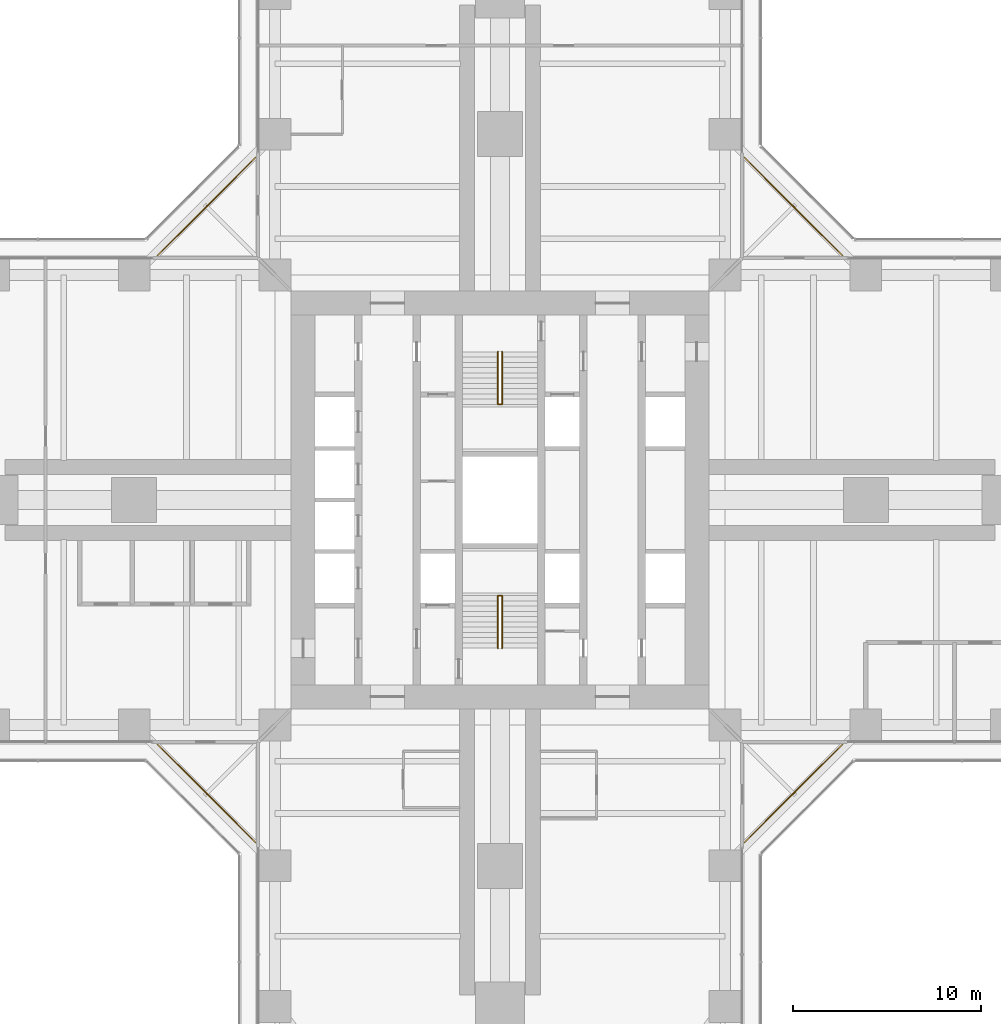
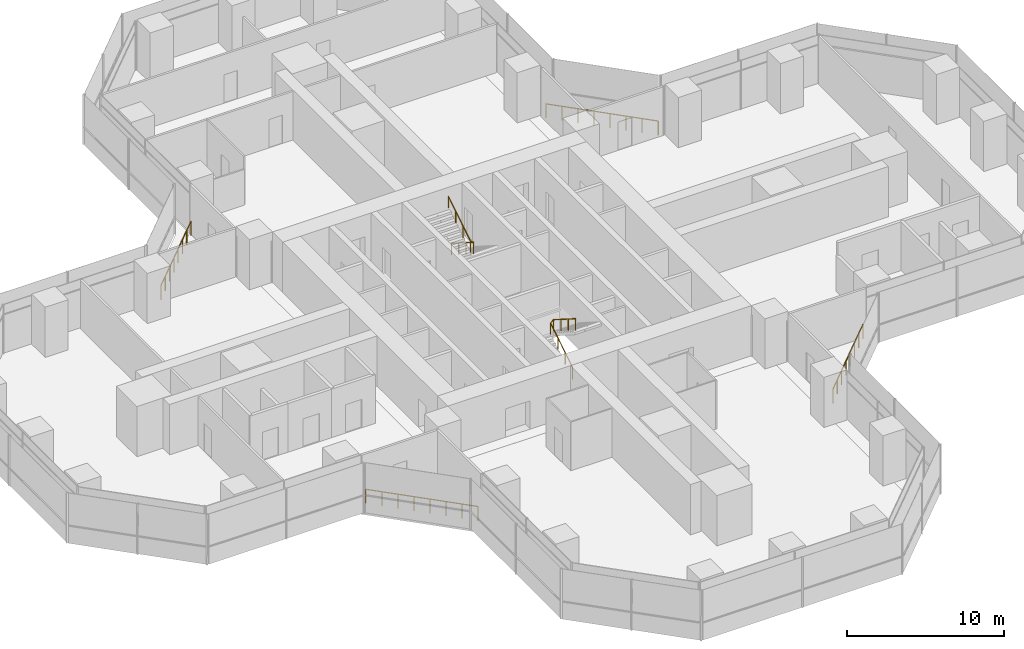
# One storey, part 22 of 22: 6 railings.
"""IFC4 building model written with IfcOpenShell, lengths in metres."""

import ifcopenshell
import ifcopenshell.guid

model = None  # the IFC model being written
_history = None  # IfcOwnerHistory: only IFC2X3 demands one
_inside = {}  # id of a spatial element -> (the spatial element, [elements in it])
_under = {}  # id of a project, library or spatial element -> (it, [spatial elements below it])
_declared = {}  # id of a project -> (the project, [libraries it declares])
_typed = {}  # id of a type object -> (the type object, [elements of that type])
_made_of = {}  # id of a material, layer set ... -> (it, [elements and type objects made of it])


def new_model(schema):
    """Start an empty IFC model of exactly this schema.

    Asked for "IFC4X3", IfcOpenShell would pick the latest addendum, in which some entities
    have other attributes; the version numbers below select the first issue.
    IFC2X3 requires an IfcOwnerHistory on every rooted entity: one is made here for all.
    """
    global model, _history
    if schema == "IFC4X3":
        model = ifcopenshell.file(schema_version=(4, 3, 0, 0))
    else:
        model = ifcopenshell.file(schema=schema)
    _inside.clear()
    _under.clear()
    _declared.clear()
    _typed.clear()
    _made_of.clear()
    _history = None
    if model.schema == "IFC2X3":
        org = make("IfcOrganization", Name="unknown")
        user = make(
            "IfcPersonAndOrganization",
            ThePerson=make("IfcPerson", FamilyName="unknown"),
            TheOrganization=org,
        )
        app = make(
            "IfcApplication",
            ApplicationDeveloper=org,
            Version="unknown",
            ApplicationFullName="unknown",
            ApplicationIdentifier="unknown",
        )
        _history = make(
            "IfcOwnerHistory",
            OwningUser=user,
            OwningApplication=app,
            ChangeAction="ADDED",
            CreationDate=0,
        )
    return model


def make(cls, **values):
    """One entity of the class cls with the attributes given. An attribute that is None is left unset."""
    return model.create_entity(
        cls, **{name: value for name, value in values.items() if value is not None}
    )


def rooted(cls, **values):
    """An entity with a GlobalId (a new one), such as an element, a storey or a relation."""
    return make(cls, GlobalId=ifcopenshell.guid.new(), OwnerHistory=_history, **values)


def si_unit(unit_type, name, prefix=None):
    """IfcSIUnit, for example si_unit("LENGTHUNIT", "METRE", prefix="MILLI")."""
    return make("IfcSIUnit", UnitType=unit_type, Prefix=prefix, Name=name)


def assignment(units):
    """IfcUnitAssignment: the units of a project."""
    return None if units is None else make("IfcUnitAssignment", Units=units)


def point(xyz):
    """IfcCartesianPoint."""
    return None if xyz is None else make("IfcCartesianPoint", Coordinates=xyz)


def direction(xyz):
    """IfcDirection."""
    return None if xyz is None else make("IfcDirection", DirectionRatios=xyz)


def frame(location, z_axis=None, x_axis=None):
    """IfcAxis2Placement3D, a coordinate frame: its origin and axes. An axis left out is left unset."""
    return make(
        "IfcAxis2Placement3D",
        Location=point(location),
        Axis=direction(z_axis),
        RefDirection=direction(x_axis),
    )


def frame_2d(location, x_axis=None):
    """IfcAxis2Placement2D, a coordinate frame in the plane: its origin and x axis."""
    return make(
        "IfcAxis2Placement2D", Location=point(location), RefDirection=direction(x_axis)
    )


def origin():
    """The frame at (0, 0, 0) with its axes left unset."""
    return frame((0.0, 0.0, 0.0))


def origin_2d():
    """The frame at (0, 0) in the plane with its x axis left unset."""
    return frame_2d((0.0, 0.0))


def place(relative_to, where):
    """IfcLocalPlacement: puts the frame where relative to a parent placement (None: the world)."""
    return make(
        "IfcLocalPlacement", PlacementRelTo=relative_to, RelativePlacement=where
    )


def context(
    kind, dimensions, precision=None, world=None, true_north=None, identifier=None
):
    """IfcGeometricRepresentationContext, for example the 3D "Model" context."""
    return make(
        "IfcGeometricRepresentationContext",
        ContextIdentifier=identifier,
        ContextType=kind,
        CoordinateSpaceDimension=dimensions,
        Precision=precision,
        WorldCoordinateSystem=world,
        TrueNorth=true_north,
    )


def subcontext(parent, identifier, kind, view, scale=None):
    """IfcGeometricRepresentationSubContext, for example "Body" below "Model"."""
    return make(
        "IfcGeometricRepresentationSubContext",
        ContextIdentifier=identifier,
        ContextType=kind,
        ParentContext=parent,
        TargetScale=scale,
        TargetView=view,
    )


def project(units=None, contexts=None):
    """IfcProject with its units and contexts."""
    return rooted(
        "IfcProject",
        Name="project",
        RepresentationContexts=contexts,
        UnitsInContext=assignment(units),
    )


def spatial(cls, under=None, at=None, **own):
    """A site, building, storey or space (cls), placed at a placement, below another one or the project."""
    s = rooted(cls, ObjectPlacement=at, **own)
    if under is not None:
        _under.setdefault(under.id(), (under, []))[1].append(s)
    return s


def profile(cls, at=None, kind="AREA", **sizes):
    """A parametric profile (cls). Its sizes go by their IFC names, for example OverallWidth=200.0."""
    return make(cls, ProfileType=kind, Position=at, **sizes)


def circle(**sizes):
    """IfcCircleProfileDef."""
    return profile("IfcCircleProfileDef", **sizes)


def extrude(swept, where, along, depth):
    """IfcExtrudedAreaSolid: the profile swept, set in the frame where, extruded along a direction by depth."""
    return make(
        "IfcExtrudedAreaSolid",
        SweptArea=swept,
        Position=where,
        ExtrudedDirection=direction(along),
        Depth=depth,
    )


def shape(context_of_items, identifier, shape_type, items):
    """IfcShapeRepresentation: the items that make up one representation, for example the "Body"."""
    return make(
        "IfcShapeRepresentation",
        ContextOfItems=context_of_items,
        RepresentationIdentifier=identifier,
        RepresentationType=shape_type,
        Items=items,
    )


def material(Name=None, Category=None):
    """IfcMaterial."""
    return make("IfcMaterial", Name=Name, Category=Category)


def made_of(thing, what):
    """Note that an element or type object is made of a material, layer set ...; save() writes the relation."""
    if what is not None:
        _made_of.setdefault(what.id(), (what, []))[1].append(thing)
    return thing


def type_object(cls, material=None, **own):
    """A type object (cls), such as IfcWallType, which elements share."""
    return made_of(rooted(cls, **own), material)


def element(
    cls,
    number,
    at=None,
    inside=None,
    cuts=None,
    type_object=None,
    material=None,
    context=None,
    identifier="Body",
    shape_type=None,
    held_by="IfcProductDefinitionShape",
    body=None,
    shapes=None,
    **own,
):
    """One element of the class cls, such as IfcWall. Its Tag is "e" and its number.

    at: its placement. inside: the storey or other place that contains it. cuts: it is an
    opening in that element (IfcRelVoidsElement). A single representation is given by context,
    identifier, shape_type and body (its items); several are given by shapes. held_by: the class
    of the entity that holds the representations. save() writes the other relations.
    """
    e = rooted(cls, Tag="e%d" % number, ObjectPlacement=at, **own)
    if body is not None:
        shapes = [shape(context, identifier, shape_type, body)]
    if shapes is not None:
        e.Representation = make(held_by, Representations=shapes)
    if inside is not None:
        _inside.setdefault(inside.id(), (inside, []))[1].append(e)
    if cuts is not None:
        rooted(
            "IfcRelVoidsElement", RelatingBuildingElement=cuts, RelatedOpeningElement=e
        )
    if type_object is not None:
        _typed.setdefault(type_object.id(), (type_object, []))[1].append(e)
    return made_of(e, material)


def aggregate(whole, parts):
    """IfcRelAggregates: a whole, such as a stair, and the parts it consists of."""
    return rooted("IfcRelAggregates", RelatingObject=whole, RelatedObjects=parts)


def save(model, path):
    """Write the relations noted so far, then the file.

    IfcRelAggregates (storeys below a building ...), IfcRelContainedInSpatialStructure (elements
    in a storey), IfcRelDefinesByType, IfcRelAssociatesMaterial and IfcRelDeclares: one each for
    every whole, place, type object, material and project.
    """
    for whole, parts in _under.values():
        aggregate(whole, parts)
    for where, things in _inside.values():
        rooted(
            "IfcRelContainedInSpatialStructure",
            RelatedElements=things,
            RelatingStructure=where,
        )
    for kind, things in _typed.values():
        rooted("IfcRelDefinesByType", RelatedObjects=things, RelatingType=kind)
    for what, things in _made_of.values():
        rooted("IfcRelAssociatesMaterial", RelatedObjects=things, RelatingMaterial=what)
    for by, libraries in _declared.values():
        rooted("IfcRelDeclares", RelatingContext=by, RelatedDefinitions=libraries)
    model.write(path)


model = new_model("IFC4")

# Units and contexts
model_context = context("Model", 3, precision=1e-05, world=origin(), true_north=direction((0.0, 1.0)))
body_context = subcontext(model_context, "Body", "Model", "MODEL_VIEW")
ifc_project = project(units=[si_unit("LENGTHUNIT", "METRE"), si_unit("AREAUNIT", "SQUARE_METRE"), si_unit("VOLUMEUNIT", "CUBIC_METRE"), si_unit("PLANEANGLEUNIT", "RADIAN"), si_unit("MASSUNIT", "GRAM", prefix="KILO")], contexts=[model_context])

# Site, building, storey
site_placement = place(None, origin())
site = spatial("IfcSite", under=ifc_project, at=site_placement, CompositionType="ELEMENT")
building_placement = place(site_placement, origin())
building = spatial("IfcBuilding", under=site, at=building_placement, Name="Mizan Broadcast Tower", CompositionType="ELEMENT")
storey_placement = place(building_placement, frame((0.0, 0.0, 43.5)))
storey = spatial("IfcBuildingStorey", under=building, at=storey_placement, Name="L07", CompositionType="ELEMENT", Elevation=43.5)

# Railings
ifc_material_1 = material(Name="Stainless steel and glass guard", Category="steel")
railing_type_1 = type_object("IfcRailingType", Name="GUARD 1100", PredefinedType="GUARDRAIL", material=ifc_material_1)
railing_1_placement = place(storey_placement, frame((18.2578125, 13.030029296875, 0.0)))
element("IfcRailing", 1, at=railing_1_placement, inside=storey, type_object=railing_type_1, Name="Winter garden guard L07 E", PredefinedType="GUARDRAIL", context=body_context, shape_type="SweptSolid", body=[
    extrude(circle(Radius=0.02392578125, at=origin_2d()), frame((0.0, 0.0, 1.076171875), z_axis=(-0.707106781187, 0.707106781187, 0.0), x_axis=(-0.707106781187, -0.707106781187, 0.0)), (0.0, 0.0, 1.0), 7.393310546875),
    extrude(circle(Radius=0.02099609375, at=origin_2d()), origin(), (0.0, 0.0, 1.0), 1.052001953125),
    extrude(circle(Radius=0.02099609375, at=origin_2d()), frame((-0.746826171875, 0.746826171875, 0.0)), (0.0, 0.0, 1.0), 1.052001953125),
    extrude(circle(Radius=0.02099609375, at=origin_2d()), frame((-1.49365234375, 1.49365234375, 0.0)), (0.0, 0.0, 1.0), 1.052001953125),
    extrude(circle(Radius=0.02099609375, at=origin_2d()), frame((-2.240478515625, 2.240478515625, 0.0)), (0.0, 0.0, 1.0), 1.052001953125),
    extrude(circle(Radius=0.02099609375, at=origin_2d()), frame((-2.9873046875, 2.9873046875, 0.0)), (0.0, 0.0, 1.0), 1.052001953125),
    extrude(circle(Radius=0.02099609375, at=origin_2d()), frame((-3.734130859375, 3.734130859375, 0.0)), (0.0, 0.0, 1.0), 1.052001953125),
    extrude(circle(Radius=0.02099609375, at=origin_2d()), frame((-4.48095703125, 4.48095703125, 0.0)), (0.0, 0.0, 1.0), 1.052001953125),
    extrude(circle(Radius=0.02099609375, at=origin_2d()), frame((-5.227783203125, 5.227783203125, 0.0)), (0.0, 0.0, 1.0), 1.052001953125),
])
railing_2_placement = place(storey_placement, frame((-13.030029296875, 18.2578125, 0.0)))
element("IfcRailing", 2, at=railing_2_placement, inside=storey, type_object=railing_type_1, Name="Winter garden guard L07 N", PredefinedType="GUARDRAIL", context=body_context, shape_type="SweptSolid", body=[
    extrude(circle(Radius=0.02392578125, at=origin_2d()), frame((0.0, 0.0, 1.076171875), z_axis=(-0.707106781187, -0.707106781187, 0.0), x_axis=(0.707106781187, -0.707106781187, 0.0)), (0.0, 0.0, 1.0), 7.393310546875),
    extrude(circle(Radius=0.02099609375, at=origin_2d()), origin(), (0.0, 0.0, 1.0), 1.052001953125),
    extrude(circle(Radius=0.02099609375, at=origin_2d()), frame((-0.746826171875, -0.746826171875, 0.0)), (0.0, 0.0, 1.0), 1.052001953125),
    extrude(circle(Radius=0.02099609375, at=origin_2d()), frame((-1.49365234375, -1.49365234375, 0.0)), (0.0, 0.0, 1.0), 1.052001953125),
    extrude(circle(Radius=0.02099609375, at=origin_2d()), frame((-2.240478515625, -2.240478515625, 0.0)), (0.0, 0.0, 1.0), 1.052001953125),
    extrude(circle(Radius=0.02099609375, at=origin_2d()), frame((-2.9873046875, -2.9873046875, 0.0)), (0.0, 0.0, 1.0), 1.052001953125),
    extrude(circle(Radius=0.02099609375, at=origin_2d()), frame((-3.734130859375, -3.734130859375, 0.0)), (0.0, 0.0, 1.0), 1.052001953125),
    extrude(circle(Radius=0.02099609375, at=origin_2d()), frame((-4.48095703125, -4.48095703125, 0.0)), (0.0, 0.0, 1.0), 1.052001953125),
    extrude(circle(Radius=0.02099609375, at=origin_2d()), frame((-5.227783203125, -5.227783203125, 0.0)), (0.0, 0.0, 1.0), 1.052001953125),
])
railing_3_placement = place(storey_placement, frame((-18.2578125, -13.030029296875, 0.0)))
element("IfcRailing", 3, at=railing_3_placement, inside=storey, type_object=railing_type_1, Name="Winter garden guard L07 W", PredefinedType="GUARDRAIL", context=body_context, shape_type="SweptSolid", body=[
    extrude(circle(Radius=0.02392578125, at=origin_2d()), frame((0.0, 0.0, 1.076171875), z_axis=(0.707106781187, -0.707106781187, 0.0), x_axis=(0.707106781187, 0.707106781187, 0.0)), (0.0, 0.0, 1.0), 7.393310546875),
    extrude(circle(Radius=0.02099609375, at=origin_2d()), origin(), (0.0, 0.0, 1.0), 1.052001953125),
    extrude(circle(Radius=0.02099609375, at=origin_2d()), frame((0.746826171875, -0.746826171875, 0.0)), (0.0, 0.0, 1.0), 1.052001953125),
    extrude(circle(Radius=0.02099609375, at=origin_2d()), frame((1.49365234375, -1.49365234375, 0.0)), (0.0, 0.0, 1.0), 1.052001953125),
    extrude(circle(Radius=0.02099609375, at=origin_2d()), frame((2.240478515625, -2.240478515625, 0.0)), (0.0, 0.0, 1.0), 1.052001953125),
    extrude(circle(Radius=0.02099609375, at=origin_2d()), frame((2.9873046875, -2.9873046875, 0.0)), (0.0, 0.0, 1.0), 1.052001953125),
    extrude(circle(Radius=0.02099609375, at=origin_2d()), frame((3.734130859375, -3.734130859375, 0.0)), (0.0, 0.0, 1.0), 1.052001953125),
    extrude(circle(Radius=0.02099609375, at=origin_2d()), frame((4.48095703125, -4.48095703125, 0.0)), (0.0, 0.0, 1.0), 1.052001953125),
    extrude(circle(Radius=0.02099609375, at=origin_2d()), frame((5.227783203125, -5.227783203125, 0.0)), (0.0, 0.0, 1.0), 1.052001953125),
])
railing_4_placement = place(storey_placement, frame((13.030029296875, -18.2578125, 0.0)))
element("IfcRailing", 4, at=railing_4_placement, inside=storey, type_object=railing_type_1, Name="Winter garden guard L07 S", PredefinedType="GUARDRAIL", context=body_context, shape_type="SweptSolid", body=[
    extrude(circle(Radius=0.02392578125, at=origin_2d()), frame((0.0, 0.0, 1.076171875), z_axis=(0.707106781187, 0.707106781187, 0.0), x_axis=(-0.707106781187, 0.707106781187, 0.0)), (0.0, 0.0, 1.0), 7.393310546875),
    extrude(circle(Radius=0.02099609375, at=origin_2d()), origin(), (0.0, 0.0, 1.0), 1.052001953125),
    extrude(circle(Radius=0.02099609375, at=origin_2d()), frame((0.746826171875, 0.746826171875, 0.0)), (0.0, 0.0, 1.0), 1.052001953125),
    extrude(circle(Radius=0.02099609375, at=origin_2d()), frame((1.49365234375, 1.49365234375, 0.0)), (0.0, 0.0, 1.0), 1.052001953125),
    extrude(circle(Radius=0.02099609375, at=origin_2d()), frame((2.240478515625, 2.240478515625, 0.0)), (0.0, 0.0, 1.0), 1.052001953125),
    extrude(circle(Radius=0.02099609375, at=origin_2d()), frame((2.9873046875, 2.9873046875, 0.0)), (0.0, 0.0, 1.0), 1.052001953125),
    extrude(circle(Radius=0.02099609375, at=origin_2d()), frame((3.734130859375, 3.734130859375, 0.0)), (0.0, 0.0, 1.0), 1.052001953125),
    extrude(circle(Radius=0.02099609375, at=origin_2d()), frame((4.48095703125, 4.48095703125, 0.0)), (0.0, 0.0, 1.0), 1.052001953125),
    extrude(circle(Radius=0.02099609375, at=origin_2d()), frame((5.227783203125, 5.227783203125, 0.0)), (0.0, 0.0, 1.0), 1.052001953125),
])
ifc_material_2 = material(Name="Stainless steel", Category="steel")
railing_type_2 = type_object("IfcRailingType", Name="HANDRAIL 50", PredefinedType="HANDRAIL", material=ifc_material_2)
railing_5_placement = place(storey_placement, frame((-0.110107421875, -7.89990234375, 0.17724609375)))
element("IfcRailing", 5, at=railing_5_placement, inside=storey, type_object=railing_type_2, Name="Stair A handrail", PredefinedType="HANDRAIL", context=body_context, shape_type="SweptSolid", body=[
    extrude(circle(Radius=0.02392578125, at=origin_2d()), frame((0.0, 0.0, 0.8759765625), z_axis=(0.0, 0.844887892834, 0.53494340686), x_axis=(-1.0, 0.0, 0.0)), (0.0, 0.0, 1.0), 3.313720703125),
    extrude(circle(Radius=0.02392578125, at=origin_2d()), frame((0.0, 2.7998046875, 2.6484375), z_axis=(0.779011685263, 0.0, 0.627009405212), x_axis=(0.0, 1.0, 0.0)), (0.0, 0.0, 1.0), 0.28271484375),
    extrude(circle(Radius=0.02392578125, at=origin_2d()), frame((0.22021484375, 2.7998046875, 2.82568359375), z_axis=(0.0, -0.844887892834, 0.53494340686), x_axis=(1.0, 0.0, 0.0)), (0.0, 0.0, 1.0), 3.313720703125),
    extrude(circle(Radius=0.02099609375, at=origin_2d()), origin(), (0.0, 0.0, 1.0), 0.851806640625),
    extrude(circle(Radius=0.02099609375, at=origin_2d()), frame((0.0, 0.933349609375, 0.5908203125)), (0.0, 0.0, 1.0), 0.851806640625),
    extrude(circle(Radius=0.02099609375, at=origin_2d()), frame((0.0, 1.866455078125, 1.181884765625)), (0.0, 0.0, 1.0), 0.851806640625),
    extrude(circle(Radius=0.02099609375, at=origin_2d()), frame((0.0, 2.7998046875, 1.772705078125)), (0.0, 0.0, 1.0), 0.851806640625),
    extrude(circle(Radius=0.02099609375, at=origin_2d()), frame((0.22021484375, 2.7998046875, 1.949951171875)), (0.0, 0.0, 1.0), 0.851806640625),
    extrude(circle(Radius=0.02099609375, at=origin_2d()), frame((0.22021484375, 1.866455078125, 2.540771484375)), (0.0, 0.0, 1.0), 0.851806640625),
    extrude(circle(Radius=0.02099609375, at=origin_2d()), frame((0.22021484375, 0.933349609375, 3.1318359375)), (0.0, 0.0, 1.0), 0.851806640625),
    extrude(circle(Radius=0.02099609375, at=origin_2d()), frame((0.22021484375, 0.0, 3.72265625)), (0.0, 0.0, 1.0), 0.851806640625),
])
railing_6_placement = place(storey_placement, frame((0.110107421875, 7.89990234375, 0.17724609375)))
element("IfcRailing", 6, at=railing_6_placement, inside=storey, type_object=railing_type_2, Name="Stair B handrail", PredefinedType="HANDRAIL", context=body_context, shape_type="SweptSolid", body=[
    extrude(circle(Radius=0.02392578125, at=origin_2d()), frame((0.0, 0.0, 0.8759765625), z_axis=(0.0, -0.844887892834, 0.53494340686), x_axis=(1.0, 0.0, 0.0)), (0.0, 0.0, 1.0), 3.313720703125),
    extrude(circle(Radius=0.02392578125, at=origin_2d()), frame((0.0, -2.7998046875, 2.6484375), z_axis=(-0.779011685263, 0.0, 0.627009405212), x_axis=(0.0, -1.0, 0.0)), (0.0, 0.0, 1.0), 0.28271484375),
    extrude(circle(Radius=0.02392578125, at=origin_2d()), frame((-0.22021484375, -2.7998046875, 2.82568359375), z_axis=(0.0, 0.844887892834, 0.53494340686), x_axis=(-1.0, 0.0, 0.0)), (0.0, 0.0, 1.0), 3.313720703125),
    extrude(circle(Radius=0.02099609375, at=origin_2d()), origin(), (0.0, 0.0, 1.0), 0.851806640625),
    extrude(circle(Radius=0.02099609375, at=origin_2d()), frame((0.0, -0.933349609375, 0.5908203125)), (0.0, 0.0, 1.0), 0.851806640625),
    extrude(circle(Radius=0.02099609375, at=origin_2d()), frame((0.0, -1.866455078125, 1.181884765625)), (0.0, 0.0, 1.0), 0.851806640625),
    extrude(circle(Radius=0.02099609375, at=origin_2d()), frame((0.0, -2.7998046875, 1.772705078125)), (0.0, 0.0, 1.0), 0.851806640625),
    extrude(circle(Radius=0.02099609375, at=origin_2d()), frame((-0.22021484375, -2.7998046875, 1.949951171875)), (0.0, 0.0, 1.0), 0.851806640625),
    extrude(circle(Radius=0.02099609375, at=origin_2d()), frame((-0.22021484375, -1.866455078125, 2.540771484375)), (0.0, 0.0, 1.0), 0.851806640625),
    extrude(circle(Radius=0.02099609375, at=origin_2d()), frame((-0.22021484375, -0.933349609375, 3.1318359375)), (0.0, 0.0, 1.0), 0.851806640625),
    extrude(circle(Radius=0.02099609375, at=origin_2d()), frame((-0.22021484375, 0.0, 3.72265625)), (0.0, 0.0, 1.0), 0.851806640625),
])

save(model, "model.ifc")
